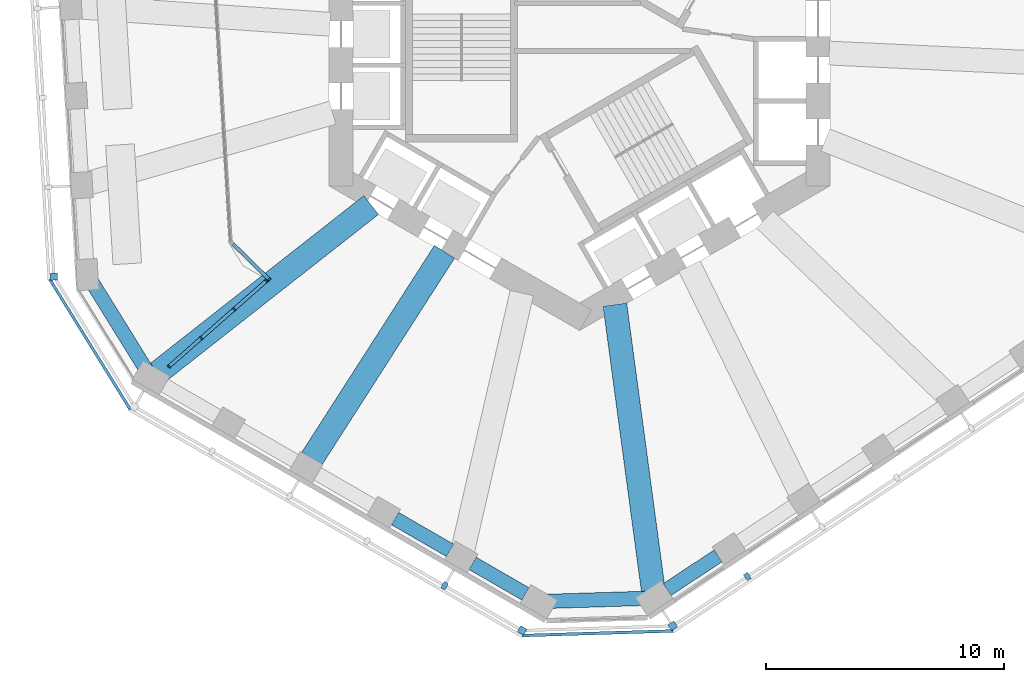
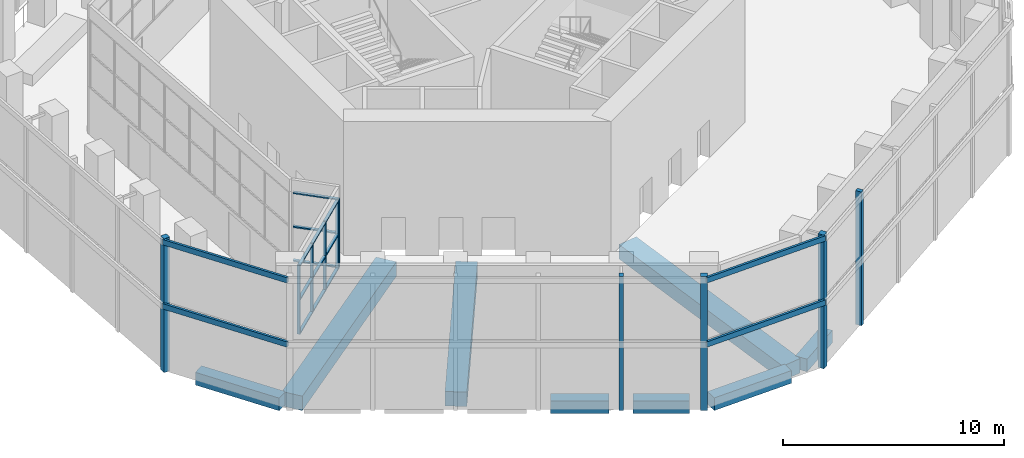
# One storey, part 2 of 19: 26 members, 8 beams, 7 elements without a shape of their own.
"""IFC4 building model written with IfcOpenShell, lengths in metres."""

from ifc_helpers import new_model, si_unit, direction, frame, origin, origin_2d, place, context, subcontext, project, spatial, rectangle, extrude, material, material_profile, profile_set, type_object, element, aggregate, save


model = new_model("IFC4")

# Units and contexts
model_context = context("Model", 3, precision=1e-05, world=origin(), true_north=direction((0.0, 1.0)))
body_context = subcontext(model_context, "Body", "Model", "MODEL_VIEW")
ifc_project = project(units=[si_unit("LENGTHUNIT", "METRE"), si_unit("AREAUNIT", "SQUARE_METRE"), si_unit("VOLUMEUNIT", "CUBIC_METRE"), si_unit("PLANEANGLEUNIT", "RADIAN"), si_unit("MASSUNIT", "GRAM", prefix="KILO")], contexts=[model_context])

# Site, building, storey
site_placement = place(None, origin())
site = spatial("IfcSite", under=ifc_project, at=site_placement, CompositionType="ELEMENT")
building_placement = place(site_placement, origin())
building = spatial("IfcBuilding", under=site, at=building_placement, Name="Vanh Sen Convention Tower", CompositionType="ELEMENT")
storey_placement = place(building_placement, frame((0.0, 0.0, 139.199951171875)))
storey = spatial("IfcBuildingStorey", under=building, at=storey_placement, Name="L34", CompositionType="ELEMENT", Elevation=139.199951171875)

# Curtain wall, members
ifc_material_1 = material(Name="Aluminium structural glazing system", Category="aluminium")
curtain_wall_type_1 = type_object("IfcCurtainWallType", Name="Sky garden structural glazing", PredefinedType="NOTDEFINED", material=ifc_material_1)
curtain_wall_1_placement = place(storey_placement, origin())
curtain_wall_1 = element("IfcCurtainWall", 1, at=curtain_wall_1_placement, inside=storey, type_object=curtain_wall_type_1, Name="Winter garden glazing 1 L34", PredefinedType="NOTDEFINED")
ifc_material_2 = material(Name="Aluminium mullion", Category="aluminium")
ifc_material_profile_1 = material_profile(ifc_material_2, rectangle(XDim=0.14990234375, YDim=0.070068359375, at=origin_2d()), Name="Garden glazing mullion 70 x 150")
ifc_profile_set_1 = profile_set([ifc_material_profile_1], Name="Aluminium mullion")
member_type_1 = type_object("IfcMemberType", Name="Garden glazing mullion 70 x 150", PredefinedType="MULLION", material=ifc_profile_set_1)
member_1_placement = place(storey_placement, frame((-17.212890625, -13.6328125, 2.60009765625), z_axis=(0.0, 0.0, 1.0), x_axis=(-0.660647956539, 0.750695862197, 0.0)))
member_1 = element("IfcMember", 2, at=member_1_placement, type_object=member_type_1, Name="CW5 mullion 1", PredefinedType="MULLION", context=body_context, shape_type="SweptSolid", body=[
    extrude(rectangle(XDim=0.14990234375, YDim=0.070068359375, at=origin_2d()), origin(), (0.0, 0.0, 1.0), 3.820068359375),
])
member_2_placement = place(storey_placement, frame((-15.861328125, -12.443359375, 2.60009765625), z_axis=(0.0, 0.0, 1.0), x_axis=(-0.660647956539, 0.750695862197, 0.0)))
member_2 = element("IfcMember", 3, at=member_2_placement, type_object=member_type_1, Name="CW5 mullion 2", PredefinedType="MULLION", context=body_context, shape_type="SweptSolid", body=[
    extrude(rectangle(XDim=0.14990234375, YDim=0.070068359375, at=origin_2d()), origin(), (0.0, 0.0, 1.0), 3.820068359375),
])
member_3_placement = place(storey_placement, frame((-14.483642578125, -11.23095703125, 2.60009765625), z_axis=(0.0, 0.0, 1.0), x_axis=(-0.660647956539, 0.750695862197, 0.0)))
member_3 = element("IfcMember", 4, at=member_3_placement, type_object=member_type_1, Name="CW5 mullion 3", PredefinedType="MULLION", context=body_context, shape_type="SweptSolid", body=[
    extrude(rectangle(XDim=0.14990234375, YDim=0.070068359375, at=origin_2d()), origin(), (0.0, 0.0, 1.0), 3.820068359375),
])
member_4_placement = place(storey_placement, frame((-13.132080078125, -10.04150390625, 2.60009765625), z_axis=(0.0, 0.0, 1.0), x_axis=(-0.660647956539, 0.750695862197, 0.0)))
member_4 = element("IfcMember", 5, at=member_4_placement, type_object=member_type_1, Name="CW5 mullion 4", PredefinedType="MULLION", context=body_context, shape_type="SweptSolid", body=[
    extrude(rectangle(XDim=0.14990234375, YDim=0.070068359375, at=origin_2d()), origin(), (0.0, 0.0, 1.0), 3.820068359375),
])

# Curtain wall, member
curtain_wall_2_placement = place(storey_placement, origin())
curtain_wall_2 = element("IfcCurtainWall", 6, at=curtain_wall_2_placement, inside=storey, type_object=curtain_wall_type_1, Name="Winter garden glazing 2 L34", PredefinedType="NOTDEFINED")
member_5_placement = place(storey_placement, frame((-13.0166015625, -9.985595703125, 2.60009765625), z_axis=(0.0, 0.0, 1.0), x_axis=(-0.699666175989, -0.714469902919, 0.0)))
member_5 = element("IfcMember", 7, at=member_5_placement, type_object=member_type_1, Name="CW5 mullion 1", PredefinedType="MULLION", context=body_context, shape_type="SweptSolid", body=[
    extrude(rectangle(XDim=0.14990234375, YDim=0.070068359375, at=origin_2d()), origin(), (0.0, 0.0, 1.0), 3.820068359375),
])

# Member
ifc_material_3 = material(Name="Aluminium transom", Category="aluminium")
ifc_material_profile_2 = material_profile(ifc_material_3, rectangle(XDim=0.14990234375, YDim=0.070068359375, at=origin_2d()), Name="Garden glazing transom 150 x 70")
ifc_profile_set_2 = profile_set([ifc_material_profile_2], Name="Aluminium transom")
member_type_2 = type_object("IfcMemberType", Name="Garden glazing transom 150 x 70", PredefinedType="USERDEFINED", material=ifc_profile_set_2)
member_6_placement = place(storey_placement, frame((-17.186767578125, -13.609619140625, 2.635009765625), z_axis=(0.750747103074, 0.660589726855, 0.0), x_axis=(-0.660589726855, 0.750747103074, 0.0)))
member_6 = element("IfcMember", 8, at=member_6_placement, type_object=member_type_2, Name="CW5 transom 1.1", ObjectType="TRANSOM", PredefinedType="USERDEFINED", context=body_context, shape_type="SweptSolid", body=[
    extrude(rectangle(XDim=0.14990234375, YDim=0.070068359375, at=origin_2d()), origin(), (0.0, 0.0, 1.0), 1.73046875),
])

member_7_placement = place(storey_placement, frame((-17.186767578125, -13.609619140625, 4.510009765625), z_axis=(0.750747103074, 0.660589726855, 0.0), x_axis=(-0.660589726855, 0.750747103074, 0.0)))
member_7 = element("IfcMember", 9, at=member_7_placement, type_object=member_type_2, Name="CW5 transom 1.2", ObjectType="TRANSOM", PredefinedType="USERDEFINED", context=body_context, shape_type="SweptSolid", body=[
    extrude(rectangle(XDim=0.14990234375, YDim=0.070068359375, at=origin_2d()), origin(), (0.0, 0.0, 1.0), 1.73046875),
])

member_8_placement = place(storey_placement, frame((-17.186767578125, -13.609619140625, 6.385009765625), z_axis=(0.750747103074, 0.660589726855, 0.0), x_axis=(-0.660589726855, 0.750747103074, 0.0)))
member_8 = element("IfcMember", 10, at=member_8_placement, type_object=member_type_2, Name="CW5 transom 1.3", ObjectType="TRANSOM", PredefinedType="USERDEFINED", context=body_context, shape_type="SweptSolid", body=[
    extrude(rectangle(XDim=0.14990234375, YDim=0.070068359375, at=origin_2d()), origin(), (0.0, 0.0, 1.0), 1.73046875),
])

member_9_placement = place(storey_placement, frame((-15.835205078125, -12.420166015625, 2.635009765625), z_axis=(0.750688824541, 0.660655953359, 0.0), x_axis=(-0.660655953359, 0.750688824541, 0.0)))
member_9 = element("IfcMember", 11, at=member_9_placement, type_object=member_type_2, Name="CW5 transom 2.1", ObjectType="TRANSOM", PredefinedType="USERDEFINED", context=body_context, shape_type="SweptSolid", body=[
    extrude(rectangle(XDim=0.14990234375, YDim=0.070068359375, at=origin_2d()), origin(), (0.0, 0.0, 1.0), 1.765380859375),
])

member_10_placement = place(storey_placement, frame((-15.835205078125, -12.420166015625, 4.510009765625), z_axis=(0.750688824541, 0.660655953359, 0.0), x_axis=(-0.660655953359, 0.750688824541, 0.0)))
member_10 = element("IfcMember", 12, at=member_10_placement, type_object=member_type_2, Name="CW5 transom 2.2", ObjectType="TRANSOM", PredefinedType="USERDEFINED", context=body_context, shape_type="SweptSolid", body=[
    extrude(rectangle(XDim=0.14990234375, YDim=0.070068359375, at=origin_2d()), origin(), (0.0, 0.0, 1.0), 1.765380859375),
])

member_11_placement = place(storey_placement, frame((-15.835205078125, -12.420166015625, 6.385009765625), z_axis=(0.750688824541, 0.660655953359, 0.0), x_axis=(-0.660655953359, 0.750688824541, 0.0)))
member_11 = element("IfcMember", 13, at=member_11_placement, type_object=member_type_2, Name="CW5 transom 2.3", ObjectType="TRANSOM", PredefinedType="USERDEFINED", context=body_context, shape_type="SweptSolid", body=[
    extrude(rectangle(XDim=0.14990234375, YDim=0.070068359375, at=origin_2d()), origin(), (0.0, 0.0, 1.0), 1.765380859375),
])

member_12_placement = place(storey_placement, frame((-14.457275390625, -11.207763671875, 2.635009765625), z_axis=(0.750685524016, 0.660659703655, 0.0), x_axis=(-0.660659703655, 0.750685524016, 0.0)))
member_12 = element("IfcMember", 14, at=member_12_placement, type_object=member_type_2, Name="CW5 transom 3.1", ObjectType="TRANSOM", PredefinedType="USERDEFINED", context=body_context, shape_type="SweptSolid", body=[
    extrude(rectangle(XDim=0.14990234375, YDim=0.070068359375, at=origin_2d()), origin(), (0.0, 0.0, 1.0), 1.730224609375),
])

member_13_placement = place(storey_placement, frame((-14.457275390625, -11.207763671875, 4.510009765625), z_axis=(0.750685524016, 0.660659703655, 0.0), x_axis=(-0.660659703655, 0.750685524016, 0.0)))
member_13 = element("IfcMember", 15, at=member_13_placement, type_object=member_type_2, Name="CW5 transom 3.2", ObjectType="TRANSOM", PredefinedType="USERDEFINED", context=body_context, shape_type="SweptSolid", body=[
    extrude(rectangle(XDim=0.14990234375, YDim=0.070068359375, at=origin_2d()), origin(), (0.0, 0.0, 1.0), 1.730224609375),
])

member_14_placement = place(storey_placement, frame((-14.457275390625, -11.207763671875, 6.385009765625), z_axis=(0.750685524016, 0.660659703655, 0.0), x_axis=(-0.660659703655, 0.750685524016, 0.0)))
member_14 = element("IfcMember", 16, at=member_14_placement, type_object=member_type_2, Name="CW5 transom 3.3", ObjectType="TRANSOM", PredefinedType="USERDEFINED", context=body_context, shape_type="SweptSolid", body=[
    extrude(rectangle(XDim=0.14990234375, YDim=0.070068359375, at=origin_2d()), origin(), (0.0, 0.0, 1.0), 1.730224609375),
])

aggregate(curtain_wall_1, [member_1, member_2, member_3, member_4, member_6, member_7, member_8, member_9, member_10, member_11, member_12, member_13, member_14])

member_15_placement = place(storey_placement, frame((-13.04150390625, -9.9609375, 2.635009765625), z_axis=(-0.714522557612, 0.699612403166, 0.0), x_axis=(-0.699612403166, -0.714522557612, 0.0)))
member_15 = element("IfcMember", 17, at=member_15_placement, type_object=member_type_2, Name="CW5 transom 1.1", ObjectType="TRANSOM", PredefinedType="USERDEFINED", context=body_context, shape_type="SweptSolid", body=[
    extrude(rectangle(XDim=0.14990234375, YDim=0.070068359375, at=origin_2d()), origin(), (0.0, 0.0, 1.0), 2.095947265625),
])

member_16_placement = place(storey_placement, frame((-13.04150390625, -9.9609375, 4.510009765625), z_axis=(-0.714522557612, 0.699612403166, 0.0), x_axis=(-0.699612403166, -0.714522557612, 0.0)))
member_16 = element("IfcMember", 18, at=member_16_placement, type_object=member_type_2, Name="CW5 transom 1.2", ObjectType="TRANSOM", PredefinedType="USERDEFINED", context=body_context, shape_type="SweptSolid", body=[
    extrude(rectangle(XDim=0.14990234375, YDim=0.070068359375, at=origin_2d()), origin(), (0.0, 0.0, 1.0), 2.095947265625),
])

member_17_placement = place(storey_placement, frame((-13.04150390625, -9.9609375, 6.385009765625), z_axis=(-0.714522557612, 0.699612403166, 0.0), x_axis=(-0.699612403166, -0.714522557612, 0.0)))
member_17 = element("IfcMember", 19, at=member_17_placement, type_object=member_type_2, Name="CW5 transom 1.3", ObjectType="TRANSOM", PredefinedType="USERDEFINED", context=body_context, shape_type="SweptSolid", body=[
    extrude(rectangle(XDim=0.14990234375, YDim=0.070068359375, at=origin_2d()), origin(), (0.0, 0.0, 1.0), 2.095947265625),
])

aggregate(curtain_wall_2, [member_5, member_15, member_16, member_17])

# Curtain wall, member
ifc_material_4 = material(Name="Concrete C50/60", Category="concrete")
curtain_wall_type_2 = type_object("IfcCurtainWallType", Name="Outer skin office zone", PredefinedType="NOTDEFINED", material=ifc_material_4)
curtain_wall_3_placement = place(storey_placement, origin())
curtain_wall_3 = element("IfcCurtainWall", 20, at=curtain_wall_3_placement, inside=storey, type_object=curtain_wall_type_2, Name="OUTER SKIN W L34", PredefinedType="NOTDEFINED")
ifc_material_profile_3 = material_profile(ifc_material_4, rectangle(XDim=0.300048828125, YDim=0.300048828125, at=origin_2d()), Name="Outer skin precast corner fin 300 x 300")
ifc_profile_set_3 = profile_set([ifc_material_profile_3], Name="Concrete C50/60")
member_type_3 = type_object("IfcMemberType", Name="Outer skin precast corner fin 300 x 300", PredefinedType="MULLION", material=ifc_profile_set_3)
member_18_placement = place(storey_placement, frame((-22.038818359375, -9.864990234375, 0.0), z_axis=(0.0, 0.0, 1.0), x_axis=(0.061048539535, -0.998134798422, 0.0)))
member_18 = element("IfcMember", 21, at=member_18_placement, type_object=member_type_3, Name="OUTER SKIN CORNER FIN 6 W L34", PredefinedType="MULLION", context=body_context, shape_type="SweptSolid", body=[
    extrude(rectangle(XDim=0.300048828125, YDim=0.300048828125, at=origin_2d()), origin(), (0.0, 0.0, 1.0), 7.400146484375),
])
aggregate(curtain_wall_3, [member_18])

curtain_wall_4_placement = place(storey_placement, origin())
curtain_wall_4 = element("IfcCurtainWall", 22, at=curtain_wall_4_placement, inside=storey, type_object=curtain_wall_type_2, Name="OUTER SKIN SW L34", PredefinedType="NOTDEFINED")
member_19_placement = place(storey_placement, frame((-2.40625, -24.706787109375, 0.0), z_axis=(0.0, 0.0, 1.0), x_axis=(0.866025403784, -0.5, 0.0)))
member_19 = element("IfcMember", 23, at=member_19_placement, type_object=member_type_3, Name="OUTER SKIN CORNER FIN 6 SW L34", PredefinedType="MULLION", context=body_context, shape_type="SweptSolid", body=[
    extrude(rectangle(XDim=0.300048828125, YDim=0.300048828125, at=origin_2d()), origin(), (0.0, 0.0, 1.0), 7.400146484375),
])

curtain_wall_5_placement = place(storey_placement, origin())
curtain_wall_5 = element("IfcCurtainWall", 24, at=curtain_wall_5_placement, inside=storey, type_object=curtain_wall_type_2, Name="OUTER SKIN SE L34", PredefinedType="NOTDEFINED")
member_20_placement = place(storey_placement, frame((3.91015625, -24.513916015625, 0.0), z_axis=(0.0, 0.0, 1.0), x_axis=(0.833885822067, 0.551936985312, 0.0)))
member_20 = element("IfcMember", 25, at=member_20_placement, type_object=member_type_3, Name="OUTER SKIN CORNER FIN 1 SE L34", PredefinedType="MULLION", context=body_context, shape_type="SweptSolid", body=[
    extrude(rectangle(XDim=0.300048828125, YDim=0.300048828125, at=origin_2d()), origin(), (0.0, 0.0, 1.0), 7.400146484375),
])

# Member
ifc_material_profile_4 = material_profile(ifc_material_4, rectangle(XDim=0.199951171875, YDim=0.300048828125, at=origin_2d()), Name="Outer skin precast fin 200 x 300")
ifc_profile_set_4 = profile_set([ifc_material_profile_4], Name="Concrete C50/60")
member_type_4 = type_object("IfcMemberType", Name="Outer skin precast fin 200 x 300", PredefinedType="MULLION", material=ifc_profile_set_4)
member_21_placement = place(storey_placement, frame((-5.657470703125, -22.829833984375, 0.0), z_axis=(0.0, 0.0, 1.0), x_axis=(0.866025403784, -0.5, 0.0)))
member_21 = element("IfcMember", 26, at=member_21_placement, type_object=member_type_4, Name="OUTER SKIN fin 5 SW L34", PredefinedType="MULLION", context=body_context, shape_type="SweptSolid", body=[
    extrude(rectangle(XDim=0.199951171875, YDim=0.300048828125, at=origin_2d()), origin(), (0.0, 0.0, 1.0), 7.400146484375),
])

aggregate(curtain_wall_4, [member_21, member_19])

member_22_placement = place(storey_placement, frame((7.04052734375, -22.44189453125, 0.0), z_axis=(0.0, 0.0, 1.0), x_axis=(0.833885822067, 0.551936985312, 0.0)))
member_22 = element("IfcMember", 27, at=member_22_placement, type_object=member_type_4, Name="OUTER SKIN fin 2 SE L34", PredefinedType="MULLION", context=body_context, shape_type="SweptSolid", body=[
    extrude(rectangle(XDim=0.199951171875, YDim=0.300048828125, at=origin_2d()), origin(), (0.0, 0.0, 1.0), 7.400146484375),
])

aggregate(curtain_wall_5, [member_20, member_22])

# Curtain wall, members
curtain_wall_6_placement = place(storey_placement, origin())
curtain_wall_6 = element("IfcCurtainWall", 28, at=curtain_wall_6_placement, inside=storey, type_object=curtain_wall_type_2, Name="OUTER SKIN CH4 L34", PredefinedType="NOTDEFINED")
ifc_material_profile_5 = material_profile(ifc_material_4, rectangle(XDim=0.1201171875, YDim=0.300048828125, at=origin_2d()), Name="Outer skin precast spandrel band 300 x 120")
ifc_profile_set_5 = profile_set([ifc_material_profile_5], Name="Concrete C50/60")
member_type_5 = type_object("IfcMemberType", Name="Outer skin precast spandrel band 300 x 120", PredefinedType="USERDEFINED", material=ifc_profile_set_5)
member_23_placement = place(storey_placement, frame((-22.217529296875, -9.975341796875, 7.25), z_axis=(0.526207913146, -0.85035594438, 0.0), x_axis=(0.85035594438, 0.526207913146, 0.0)))
member_23 = element("IfcMember", 29, at=member_23_placement, type_object=member_type_5, Name="OUTER SKIN spandrel band CH4 L34", ObjectType="TRANSOM", PredefinedType="USERDEFINED", context=body_context, shape_type="SweptSolid", body=[
    extrude(rectangle(XDim=0.1201171875, YDim=0.300048828125, at=origin_2d()), origin(), (0.0, 0.0, 1.0), 6.4169921875),
])
member_24_placement = place(storey_placement, frame((-22.217529296875, -9.975341796875, 3.699951171875), z_axis=(0.526207913146, -0.85035594438, 0.0), x_axis=(0.85035594438, 0.526207913146, 0.0)))
member_24 = element("IfcMember", 30, at=member_24_placement, type_object=member_type_5, Name="OUTER SKIN spandrel band CH4 L34 mid", ObjectType="TRANSOM", PredefinedType="USERDEFINED", context=body_context, shape_type="SweptSolid", body=[
    extrude(rectangle(XDim=0.1201171875, YDim=0.300048828125, at=origin_2d()), origin(), (0.0, 0.0, 1.0), 6.4169921875),
])
aggregate(curtain_wall_6, [member_23, member_24])

curtain_wall_7_placement = place(storey_placement, origin())
curtain_wall_7 = element("IfcCurtainWall", 31, at=curtain_wall_7_placement, inside=storey, type_object=curtain_wall_type_2, Name="OUTER SKIN CH5 L34", PredefinedType="NOTDEFINED")
member_25_placement = place(storey_placement, frame((-2.39990234375, -24.916748046875, 7.25), z_axis=(0.99953413443, 0.030520716071, 0.0), x_axis=(-0.030520716071, 0.99953413443, 0.0)))
member_25 = element("IfcMember", 32, at=member_25_placement, type_object=member_type_5, Name="OUTER SKIN spandrel band CH5 L34", ObjectType="TRANSOM", PredefinedType="USERDEFINED", context=body_context, shape_type="SweptSolid", body=[
    extrude(rectangle(XDim=0.1201171875, YDim=0.300048828125, at=origin_2d()), origin(), (0.0, 0.0, 1.0), 6.3193359375),
])
member_26_placement = place(storey_placement, frame((-2.39990234375, -24.916748046875, 3.699951171875), z_axis=(0.99953413443, 0.030520716071, 0.0), x_axis=(-0.030520716071, 0.99953413443, 0.0)))
member_26 = element("IfcMember", 33, at=member_26_placement, type_object=member_type_5, Name="OUTER SKIN spandrel band CH5 L34 mid", ObjectType="TRANSOM", PredefinedType="USERDEFINED", context=body_context, shape_type="SweptSolid", body=[
    extrude(rectangle(XDim=0.1201171875, YDim=0.300048828125, at=origin_2d()), origin(), (0.0, 0.0, 1.0), 6.3193359375),
])
aggregate(curtain_wall_7, [member_25, member_26])

# Beams
ifc_material_5 = material(Name="Concrete C50/60", Category="concrete")
ifc_material_profile_6 = material_profile(ifc_material_5, rectangle(XDim=1.0, YDim=0.800048828125, at=origin_2d()), Name="RC 1000X800")
ifc_profile_set_6 = profile_set([ifc_material_profile_6], Name="Concrete C50/60")
beam_type_1 = type_object("IfcBeamType", Name="Radial floor beam 1000 x 800", PredefinedType="BEAM", material=ifc_profile_set_6)
beam_1_placement = place(storey_placement, frame((-17.742431640625, -13.936767578125, -0.75), z_axis=(0.786390075882, 0.617730239307, 0.0), x_axis=(-0.617730239307, 0.786390075882, 0.0)))
element("IfcBeam", 34, at=beam_1_placement, inside=storey, type_object=beam_type_1, Name="Radial beam 13 L34", PredefinedType="BEAM", context=body_context, shape_type="SweptSolid", body=[
    extrude(rectangle(XDim=1.0, YDim=0.800048828125, at=origin_2d()), origin(), (0.0, 0.0, 1.0), 11.454345703125),
])
beam_2_placement = place(storey_placement, frame((-11.23193359375, -17.508056640625, -0.75), z_axis=(0.539975252329, 0.841680893731, 0.0), x_axis=(-0.841680893731, 0.539975252329, 0.0)))
element("IfcBeam", 35, at=beam_2_placement, inside=storey, type_object=beam_type_1, Name="Radial beam 14 L34", PredefinedType="BEAM", context=body_context, shape_type="SweptSolid", body=[
    extrude(rectangle(XDim=1.0, YDim=0.800048828125, at=origin_2d()), origin(), (0.0, 0.0, 1.0), 10.318115234375),
])
beam_3_placement = place(storey_placement, frame((3.103759765625, -23.095947265625, -0.75), z_axis=(-0.133195875593, 0.991089732933, 0.0), x_axis=(-0.991089732933, -0.133195875593, 0.0)))
element("IfcBeam", 36, at=beam_3_placement, inside=storey, type_object=beam_type_1, Name="Radial beam 16 L34", PredefinedType="BEAM", context=body_context, shape_type="SweptSolid", body=[
    extrude(rectangle(XDim=1.0, YDim=0.800048828125, at=origin_2d()), origin(), (0.0, 0.0, 1.0), 12.16162109375),
])
ifc_material_profile_7 = material_profile(ifc_material_5, rectangle(XDim=0.60009765625, YDim=0.699951171875, at=origin_2d()), Name="RC 600X700")
ifc_profile_set_7 = profile_set([ifc_material_profile_7], Name="Concrete C50/60")
beam_type_2 = type_object("IfcBeamType", Name="Spandrel beam 600 x 700", PredefinedType="SPANDREL", material=ifc_profile_set_7)
beam_4_placement = place(storey_placement, frame((-20.437744140625, -10.10888671875, -0.699951171875), z_axis=(0.526231952561, -0.850341068104, 0.0), x_axis=(0.850341068104, 0.526231952561, 0.0)))
element("IfcBeam", 37, at=beam_4_placement, inside=storey, type_object=beam_type_2, Name="Spandrel beam 24 L34", PredefinedType="SPANDREL", context=body_context, shape_type="SweptSolid", body=[
    extrude(rectangle(XDim=0.60009765625, YDim=0.699951171875, at=origin_2d()), origin(), (0.0, 0.0, 1.0), 4.31689453125),
])
beam_5_placement = place(storey_placement, frame((-7.736572265625, -20.012939453125, -0.699951171875), z_axis=(0.866023818221, -0.500002746266, 0.0), x_axis=(0.500002746266, 0.866023818221, 0.0)))
element("IfcBeam", 38, at=beam_5_placement, inside=storey, type_object=beam_type_2, Name="Spandrel beam 28 L34", PredefinedType="SPANDREL", context=body_context, shape_type="SweptSolid", body=[
    extrude(rectangle(XDim=0.60009765625, YDim=0.699951171875, at=origin_2d()), origin(), (0.0, 0.0, 1.0), 2.6640625),
])
beam_6_placement = place(storey_placement, frame((-4.485595703125, -21.889892578125, -0.699951171875), z_axis=(0.866008007854, -0.500030129425, 0.0), x_axis=(0.500030129425, 0.866008007854, 0.0)))
element("IfcBeam", 39, at=beam_6_placement, inside=storey, type_object=beam_type_2, Name="Spandrel beam 29 L34", PredefinedType="SPANDREL", context=body_context, shape_type="SweptSolid", body=[
    extrude(rectangle(XDim=0.60009765625, YDim=0.699951171875, at=origin_2d()), origin(), (0.0, 0.0, 1.0), 2.564208984375),
])
beam_7_placement = place(storey_placement, frame((-1.341064453125, -23.4833984375, -0.699951171875), z_axis=(0.999533143358, 0.030553155795, 0.0), x_axis=(-0.030553155795, 0.999533143358, 0.0)))
element("IfcBeam", 40, at=beam_7_placement, inside=storey, type_object=beam_type_2, Name="Spandrel beam 30 L34", PredefinedType="SPANDREL", context=body_context, shape_type="SweptSolid", body=[
    extrude(rectangle(XDim=0.60009765625, YDim=0.699951171875, at=origin_2d()), origin(), (0.0, 0.0, 1.0), 4.115234375),
])
beam_8_placement = place(storey_placement, frame((3.67529296875, -22.990478515625, -0.699951171875), z_axis=(0.833876783429, 0.551950640961, 0.0), x_axis=(-0.551950640961, 0.833876783429, 0.0)))
element("IfcBeam", 41, at=beam_8_placement, inside=storey, type_object=beam_type_2, Name="Spandrel beam 31 L34", PredefinedType="SPANDREL", context=body_context, shape_type="SweptSolid", body=[
    extrude(rectangle(XDim=0.60009765625, YDim=0.699951171875, at=origin_2d()), origin(), (0.0, 0.0, 1.0), 2.564208984375),
])

save(model, "model.ifc")
